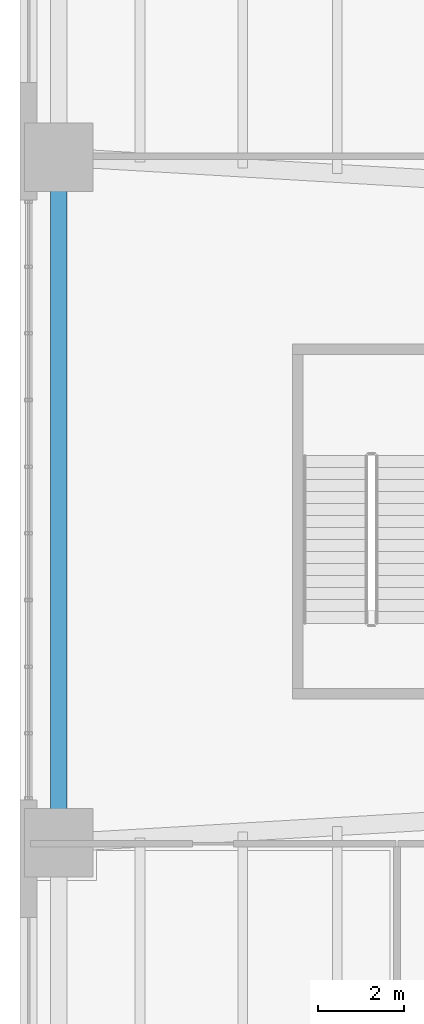
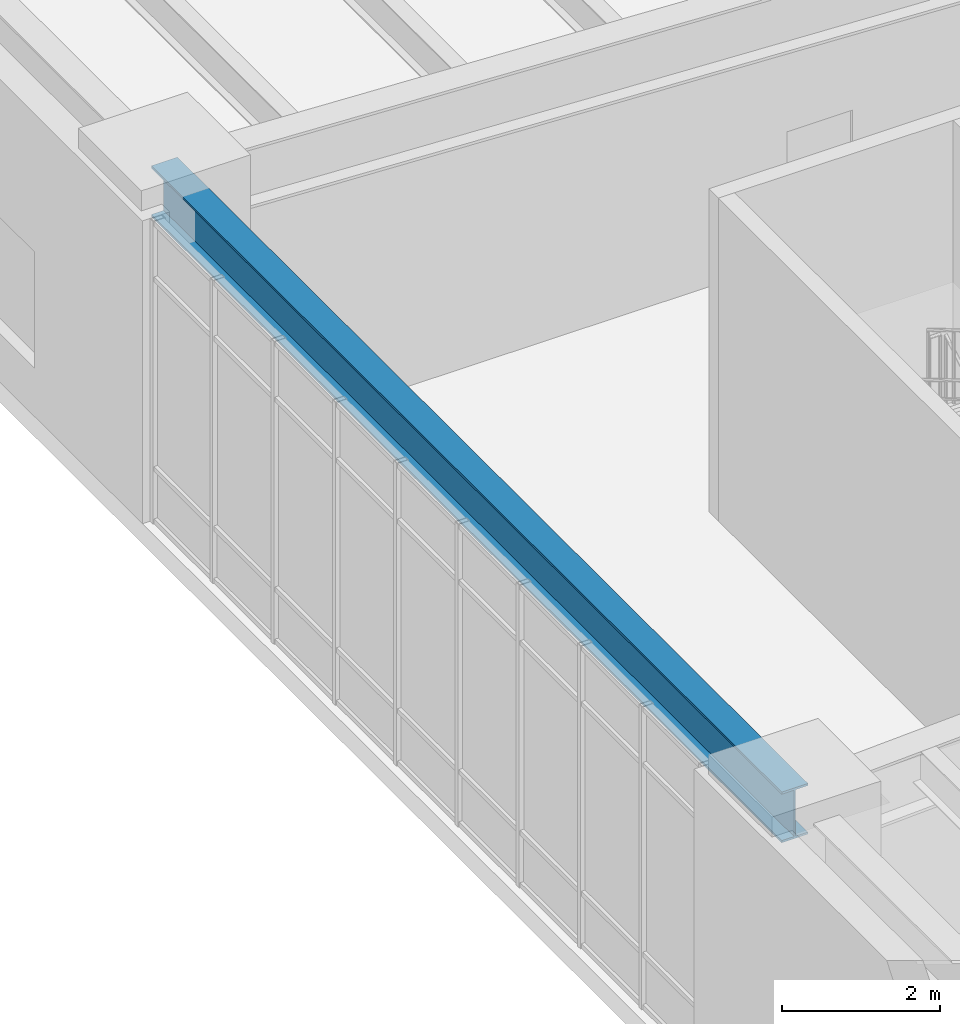
# One storey, part 3 of 18: 1 beam.
"""IFC4 building model written with IfcOpenShell, lengths in metres."""

from ifc_helpers import new_model, si_unit, direction, frame, origin, origin_2d, place, context, subcontext, project, spatial, i_section, extrude, material, material_profile, profile_set, type_object, element, save


model = new_model("IFC4")

# Units and contexts
model_context = context("Model", 3, precision=1e-05, world=origin(), true_north=direction((0.0, 1.0)))
body_context = subcontext(model_context, "Body", "Model", "MODEL_VIEW")
ifc_project = project(units=[si_unit("LENGTHUNIT", "METRE"), si_unit("AREAUNIT", "SQUARE_METRE"), si_unit("VOLUMEUNIT", "CUBIC_METRE"), si_unit("PLANEANGLEUNIT", "RADIAN"), si_unit("MASSUNIT", "GRAM", prefix="KILO"), si_unit("THERMODYNAMICTEMPERATUREUNIT", "KELVIN"), si_unit("POWERUNIT", "WATT")], contexts=[model_context])

# Site, building, storey
site_placement = place(None, origin())
site = spatial("IfcSite", under=ifc_project, at=site_placement, CompositionType="ELEMENT")
building_placement = place(site_placement, origin())
building = spatial("IfcBuilding", under=site, at=building_placement, Name="Skarre Station Tower", CompositionType="ELEMENT")
storey_placement = place(building_placement, frame((0.0, 0.0, 11.0)))
storey = spatial("IfcBuildingStorey", under=building, at=storey_placement, Name="L03", CompositionType="ELEMENT", Elevation=11.0)

# Beam
ifc_material = material(Name="Steel ASTM A992 Grade 50", Category="steel")
ifc_material_profile = material_profile(ifc_material, i_section(OverallWidth=0.384033203125, OverallDepth=0.785888671875, WebThickness=0.02001953125, FlangeThickness=0.032958984375, at=origin_2d()), Name="Steel ASTM A992 Grade 50")
ifc_profile_set = profile_set([ifc_material_profile], Name="Steel ASTM A992 Grade 50")
beam_type = type_object("IfcBeamType", Name="Steel Spandrel W30X211", PredefinedType="SPANDREL", material=ifc_profile_set)
beam_placement = place(storey_placement, frame((0.89990234375, 16.0, 4.297119140625), z_axis=(0.0, 1.0, 0.0), x_axis=(-1.0, 0.0, 0.0)))
element("IfcBeam", 1, at=beam_placement, inside=storey, type_object=beam_type, Name="L03 West Podium Spandrel 2", PredefinedType="SPANDREL", context=body_context, shape_type="SweptSolid", body=[
    extrude(i_section(OverallWidth=0.384033203125, OverallDepth=0.785888671875, WebThickness=0.02001953125, FlangeThickness=0.032958984375, at=origin_2d()), origin(), (0.0, 0.0, 1.0), 16.0),
])

save(model, "model.ifc")
